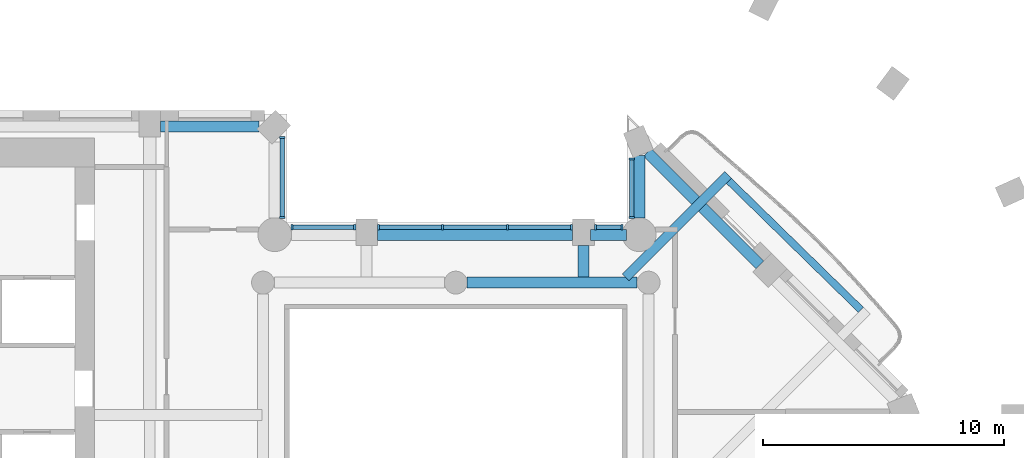
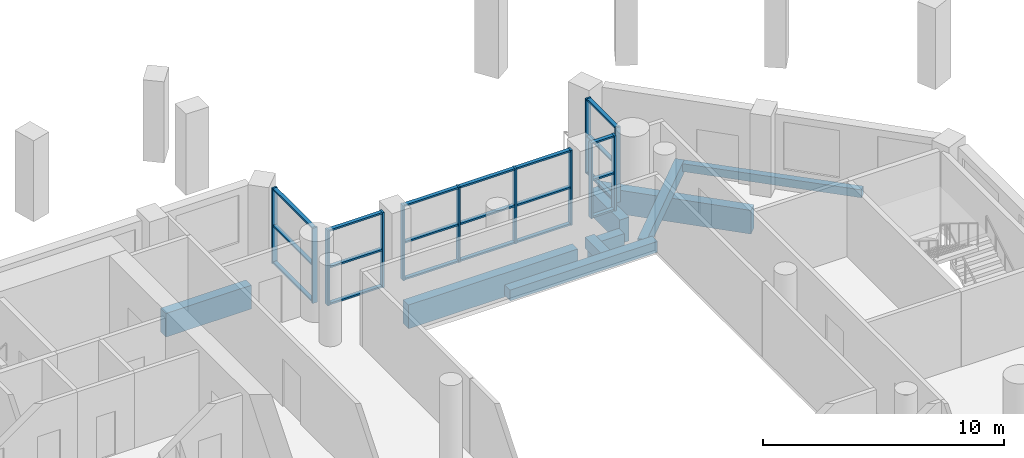
# One storey, part 2 of 13: 33 members, 9 beams, 5 elements without a shape of their own.
"""IFC4 building model written with IfcOpenShell, lengths in metres."""

from ifc_helpers import new_model, si_unit, direction, frame, origin, origin_2d, place, context, subcontext, project, spatial, rectangle, extrude, material, material_profile, profile_set, type_object, element, aggregate, save


model = new_model("IFC4")

# Units and contexts
model_context = context("Model", 3, precision=1e-05, world=origin(), true_north=direction((0.0, 1.0)))
body_context = subcontext(model_context, "Body", "Model", "MODEL_VIEW")
ifc_project = project(units=[si_unit("LENGTHUNIT", "METRE"), si_unit("AREAUNIT", "SQUARE_METRE"), si_unit("VOLUMEUNIT", "CUBIC_METRE"), si_unit("PLANEANGLEUNIT", "RADIAN"), si_unit("MASSUNIT", "GRAM", prefix="KILO")], contexts=[model_context])

# Site, building, storey
site_placement = place(None, origin())
site = spatial("IfcSite", under=ifc_project, at=site_placement, CompositionType="ELEMENT")
building_placement = place(site_placement, origin())
building = spatial("IfcBuilding", under=site, at=building_placement, Name="Cypress Arch Tower", CompositionType="ELEMENT")
storey_placement = place(building_placement, frame((0.0, 0.0, 189.199951171875)))
storey = spatial("IfcBuildingStorey", under=building, at=storey_placement, Name="L41", CompositionType="ELEMENT", Elevation=189.199951171875)

# Beams
ifc_material_1 = material(Name="Concrete C50/60", Category="concrete")
ifc_material_profile_1 = material_profile(ifc_material_1, rectangle(XDim=0.300048828125, YDim=0.39990234375, at=origin_2d()), Name="RC 300x400")
ifc_profile_set_1 = profile_set([ifc_material_profile_1], Name="Concrete C50/60")
beam_type_1 = type_object("IfcBeamType", Name="Balcony edge beam RC 300x400 Concrete C50/60", PredefinedType="BEAM", material=ifc_profile_set_1)
beam_1_placement = place(storey_placement, frame((17.810791015625, 8.869384765625, -0.5), z_axis=(-0.715154258634, 0.698966656113, 0.0), x_axis=(-0.698966656113, -0.715154258634, 0.0)))
element("IfcBeam", 1, at=beam_1_placement, inside=storey, type_object=beam_type_1, Name="Balcony edge beam L41 B05", PredefinedType="BEAM", context=body_context, shape_type="SweptSolid", body=[
    extrude(rectangle(XDim=0.300048828125, YDim=0.39990234375, at=origin_2d()), origin(), (0.0, 0.0, 1.0), 7.66162109375),
])
ifc_material_2 = material(Name="Concrete C50/60", Category="concrete")
ifc_material_profile_2 = material_profile(ifc_material_2, rectangle(XDim=0.39990234375, YDim=0.64990234375, at=origin_2d()), Name="RC 400x650")
ifc_profile_set_2 = profile_set([ifc_material_profile_2], Name="Concrete C50/60")
beam_type_2 = type_object("IfcBeamType", Name="Cantilever beam RC 400x650 Concrete C50/60", PredefinedType="BEAM", material=ifc_profile_set_2)
beam_2_placement = place(storey_placement, frame((8.04931640625, 10.22509765625, -0.625), z_axis=(0.707127105311, 0.707086456478, 0.0), x_axis=(-0.707086456478, 0.707127105311, 0.0)))
element("IfcBeam", 2, at=beam_2_placement, inside=storey, type_object=beam_type_2, Name="Cantilever beam L41 B05 2", PredefinedType="BEAM", context=body_context, shape_type="SweptSolid", body=[
    extrude(rectangle(XDim=0.39990234375, YDim=0.64990234375, at=origin_2d()), origin(), (0.0, 0.0, 1.0), 6.006103515625),
])
ifc_material_3 = material(Name="Concrete C50/60", Category="concrete")
ifc_material_profile_3 = material_profile(ifc_material_3, rectangle(XDim=0.449951171875, YDim=0.550048828125, at=origin_2d()), Name="RC 450x550")
ifc_profile_set_3 = profile_set([ifc_material_profile_3], Name="Concrete C50/60")
beam_type_3 = type_object("IfcBeamType", Name="Floor beam RC 450x550 Concrete C50/60", PredefinedType="BEAM", material=ifc_profile_set_3)
beam_3_placement = place(storey_placement, frame((1.47509765625, 10.0, -0.574951171875), z_axis=(1.0, 0.0, 0.0), x_axis=(0.0, 1.0, 0.0)))
element("IfcBeam", 3, at=beam_3_placement, inside=storey, type_object=beam_type_3, Name="Floor beam L41 RB008", PredefinedType="BEAM", context=body_context, shape_type="SweptSolid", body=[
    extrude(rectangle(XDim=0.449951171875, YDim=0.550048828125, at=origin_2d()), origin(), (0.0, 0.0, 1.0), 7.0498046875),
])
beam_4_placement = place(storey_placement, frame((6.300048828125, 10.22509765625, -0.574951171875), z_axis=(0.0, 1.0, 0.0), x_axis=(-1.0, 0.0, 0.0)))
element("IfcBeam", 4, at=beam_4_placement, inside=storey, type_object=beam_type_3, Name="Floor beam L41 FB017", PredefinedType="BEAM", context=body_context, shape_type="SweptSolid", body=[
    extrude(rectangle(XDim=0.449951171875, YDim=0.550048828125, at=origin_2d()), origin(), (0.0, 0.0, 1.0), 1.324951171875),
])

# Curtain wall, members
ifc_material_4 = material(Name="Anodised aluminium, bronze finish, clear laminated double glazing", Category="aluminium")
curtain_wall_type = type_object("IfcCurtainWallType", Name="Curtain wall CW7 slot glazing", PredefinedType="NOTDEFINED", material=ifc_material_4)
curtain_wall_1_placement = place(storey_placement, origin())
curtain_wall_1 = element("IfcCurtainWall", 5, at=curtain_wall_1_placement, inside=storey, type_object=curtain_wall_type, Name="Curtain wall L41 slot B06.0", PredefinedType="NOTDEFINED")
ifc_material_5 = material(Name="Anodised aluminium, bronze finish", Category="aluminium")
ifc_material_profile_4 = material_profile(ifc_material_5, rectangle(XDim=0.239990234375, YDim=0.0849609375, at=origin_2d()), Name="Mullion 85x240")
ifc_profile_set_4 = profile_set([ifc_material_profile_4], Name="Anodised aluminium, bronze finish")
member_type_1 = type_object("IfcMemberType", Name="Mullion CW7 85x240", PredefinedType="MULLION", material=ifc_profile_set_4)
member_1_placement = place(storey_placement, frame((8.300048828125, 15.12744140625, 0.0), z_axis=(0.0, 0.0, 1.0), x_axis=(1.0, 0.0, 0.0)))
member_1 = element("IfcMember", 6, at=member_1_placement, type_object=member_type_1, Name="CW7 mullion 1", PredefinedType="MULLION", context=body_context, shape_type="SweptSolid", body=[
    extrude(rectangle(XDim=0.239990234375, YDim=0.0849609375, at=origin_2d()), origin(), (0.0, 0.0, 1.0), 3.800048828125),
])
member_2_placement = place(storey_placement, frame((8.300048828125, 12.697021484375, 0.0), z_axis=(0.0, 0.0, 1.0), x_axis=(1.0, 0.0, 0.0)))
member_2 = element("IfcMember", 7, at=member_2_placement, type_object=member_type_1, Name="CW7 mullion 2", PredefinedType="MULLION", context=body_context, shape_type="SweptSolid", body=[
    extrude(rectangle(XDim=0.239990234375, YDim=0.0849609375, at=origin_2d()), origin(), (0.0, 0.0, 1.0), 3.800048828125),
])

curtain_wall_2_placement = place(storey_placement, origin())
curtain_wall_2 = element("IfcCurtainWall", 8, at=curtain_wall_2_placement, inside=storey, type_object=curtain_wall_type, Name="Curtain wall L41 slot B07.0", PredefinedType="NOTDEFINED")
member_3_placement = place(storey_placement, frame((7.903076171875, 12.300048828125, 0.0), z_axis=(0.0, 0.0, 1.0), x_axis=(0.0, -1.0, 0.0)))
member_3 = element("IfcMember", 9, at=member_3_placement, type_object=member_type_1, Name="CW7 mullion 1", PredefinedType="MULLION", context=body_context, shape_type="SweptSolid", body=[
    extrude(rectangle(XDim=0.239990234375, YDim=0.0849609375, at=origin_2d()), origin(), (0.0, 0.0, 1.0), 3.800048828125),
])
member_4_placement = place(storey_placement, frame((6.79248046875, 12.300048828125, 0.0), z_axis=(0.0, 0.0, 1.0), x_axis=(0.0, -1.0, 0.0)))
member_4 = element("IfcMember", 10, at=member_4_placement, type_object=member_type_1, Name="CW7 mullion 2", PredefinedType="MULLION", context=body_context, shape_type="SweptSolid", body=[
    extrude(rectangle(XDim=0.239990234375, YDim=0.0849609375, at=origin_2d()), origin(), (0.0, 0.0, 1.0), 3.800048828125),
])

curtain_wall_3_placement = place(storey_placement, origin())
curtain_wall_3 = element("IfcCurtainWall", 11, at=curtain_wall_3_placement, inside=storey, type_object=curtain_wall_type, Name="Curtain wall L41 slot B07.1", PredefinedType="NOTDEFINED")
member_5_placement = place(storey_placement, frame((5.8076171875, 12.300048828125, 0.0), z_axis=(0.0, 0.0, 1.0), x_axis=(0.0, -1.0, 0.0)))
member_5 = element("IfcMember", 12, at=member_5_placement, type_object=member_type_1, Name="CW7 mullion 1", PredefinedType="MULLION", context=body_context, shape_type="SweptSolid", body=[
    extrude(rectangle(XDim=0.239990234375, YDim=0.0849609375, at=origin_2d()), origin(), (0.0, 0.0, 1.0), 3.800048828125),
])
member_6_placement = place(storey_placement, frame((3.14990234375, 12.300048828125, 0.0), z_axis=(0.0, 0.0, 1.0), x_axis=(0.0, -1.0, 0.0)))
member_6 = element("IfcMember", 13, at=member_6_placement, type_object=member_type_1, Name="CW7 mullion 2", PredefinedType="MULLION", context=body_context, shape_type="SweptSolid", body=[
    extrude(rectangle(XDim=0.239990234375, YDim=0.0849609375, at=origin_2d()), origin(), (0.0, 0.0, 1.0), 3.800048828125),
])
member_7_placement = place(storey_placement, frame((0.449951171875, 12.300048828125, 0.0), z_axis=(0.0, 0.0, 1.0), x_axis=(0.0, -1.0, 0.0)))
member_7 = element("IfcMember", 14, at=member_7_placement, type_object=member_type_1, Name="CW7 mullion 3", PredefinedType="MULLION", context=body_context, shape_type="SweptSolid", body=[
    extrude(rectangle(XDim=0.239990234375, YDim=0.0849609375, at=origin_2d()), origin(), (0.0, 0.0, 1.0), 3.800048828125),
])
member_8_placement = place(storey_placement, frame((-2.20751953125, 12.300048828125, 0.0), z_axis=(0.0, 0.0, 1.0), x_axis=(0.0, -1.0, 0.0)))
member_8 = element("IfcMember", 15, at=member_8_placement, type_object=member_type_1, Name="CW7 mullion 4", PredefinedType="MULLION", context=body_context, shape_type="SweptSolid", body=[
    extrude(rectangle(XDim=0.239990234375, YDim=0.0849609375, at=origin_2d()), origin(), (0.0, 0.0, 1.0), 3.800048828125),
])

curtain_wall_4_placement = place(storey_placement, origin())
curtain_wall_4 = element("IfcCurtainWall", 16, at=curtain_wall_4_placement, inside=storey, type_object=curtain_wall_type, Name="Curtain wall L41 slot B07.2", PredefinedType="NOTDEFINED")
member_9_placement = place(storey_placement, frame((-3.1923828125, 12.300048828125, 0.0), z_axis=(0.0, 0.0, 1.0), x_axis=(0.0, -1.0, 0.0)))
member_9 = element("IfcMember", 17, at=member_9_placement, type_object=member_type_1, Name="CW7 mullion 1", PredefinedType="MULLION", context=body_context, shape_type="SweptSolid", body=[
    extrude(rectangle(XDim=0.239990234375, YDim=0.0849609375, at=origin_2d()), origin(), (0.0, 0.0, 1.0), 3.800048828125),
])
member_10_placement = place(storey_placement, frame((-5.802978515625, 12.300048828125, 0.0), z_axis=(0.0, 0.0, 1.0), x_axis=(0.0, -1.0, 0.0)))
member_10 = element("IfcMember", 18, at=member_10_placement, type_object=member_type_1, Name="CW7 mullion 2", PredefinedType="MULLION", context=body_context, shape_type="SweptSolid", body=[
    extrude(rectangle(XDim=0.239990234375, YDim=0.0849609375, at=origin_2d()), origin(), (0.0, 0.0, 1.0), 3.800048828125),
])

curtain_wall_5_placement = place(storey_placement, origin())
curtain_wall_5 = element("IfcCurtainWall", 19, at=curtain_wall_5_placement, inside=storey, type_object=curtain_wall_type, Name="Curtain wall L41 slot B08.0", PredefinedType="NOTDEFINED")
member_11_placement = place(storey_placement, frame((-6.199951171875, 12.697021484375, 0.0), z_axis=(0.0, 0.0, 1.0), x_axis=(-1.0, 0.0, 0.0)))
member_11 = element("IfcMember", 20, at=member_11_placement, type_object=member_type_1, Name="CW7 mullion 1", PredefinedType="MULLION", context=body_context, shape_type="SweptSolid", body=[
    extrude(rectangle(XDim=0.239990234375, YDim=0.0849609375, at=origin_2d()), origin(), (0.0, 0.0, 1.0), 3.800048828125),
])
member_12_placement = place(storey_placement, frame((-6.199951171875, 16.02099609375, 0.0), z_axis=(0.0, 0.0, 1.0), x_axis=(-1.0, 0.0, 0.0)))
member_12 = element("IfcMember", 21, at=member_12_placement, type_object=member_type_1, Name="CW7 mullion 2", PredefinedType="MULLION", context=body_context, shape_type="SweptSolid", body=[
    extrude(rectangle(XDim=0.239990234375, YDim=0.0849609375, at=origin_2d()), origin(), (0.0, 0.0, 1.0), 3.800048828125),
])

# Beams
ifc_material_6 = material(Name="Concrete C50/60", Category="concrete")
ifc_material_profile_5 = material_profile(ifc_material_6, rectangle(XDim=0.449951171875, YDim=1.199951171875, at=origin_2d()), Name="RC 450x1200")
ifc_profile_set_5 = profile_set([ifc_material_profile_5], Name="Concrete C50/60")
beam_type_4 = type_object("IfcBeamType", Name="Spandrel beam RC 450x1200 Concrete C50/60", PredefinedType="SPANDREL", material=ifc_profile_set_5)
beam_5_placement = place(storey_placement, frame((13.622802734375, 10.73486328125, -1.550048828125), z_axis=(-0.707106781187, 0.707106781187, 0.0), x_axis=(-0.707106781187, -0.707106781187, 0.0)))
element("IfcBeam", 22, at=beam_5_placement, inside=storey, type_object=beam_type_4, Name="Spandrel beam L41 BB05-1", PredefinedType="SPANDREL", context=body_context, shape_type="SweptSolid", body=[
    extrude(rectangle(XDim=0.449951171875, YDim=1.199951171875, at=origin_2d()), origin(), (0.0, 0.0, 1.0), 6.610595703125),
])
beam_6_placement = place(storey_placement, frame((8.625, 15.275146484375, -1.550048828125), z_axis=(0.0, -1.0, 0.0), x_axis=(1.0, 0.0, 0.0)))
element("IfcBeam", 23, at=beam_6_placement, inside=storey, type_object=beam_type_4, Name="Spandrel beam L41 BB06-0", PredefinedType="SPANDREL", context=body_context, shape_type="SweptSolid", body=[
    extrude(rectangle(XDim=0.449951171875, YDim=1.199951171875, at=origin_2d()), origin(), (0.0, 0.0, 1.0), 2.587646484375),
])
beam_7_placement = place(storey_placement, frame((8.081298828125, 11.97509765625, -1.550048828125), z_axis=(-1.0, 0.0, 0.0), x_axis=(0.0, -1.0, 0.0)))
element("IfcBeam", 24, at=beam_7_placement, inside=storey, type_object=beam_type_4, Name="Spandrel beam L41 BB07-0", PredefinedType="SPANDREL", context=body_context, shape_type="SweptSolid", body=[
    extrude(rectangle(XDim=0.449951171875, YDim=1.199951171875, at=origin_2d()), origin(), (0.0, 0.0, 1.0), 1.5),
])
beam_8_placement = place(storey_placement, frame((5.85009765625, 11.97509765625, -1.550048828125), z_axis=(-1.0, 0.0, 0.0), x_axis=(0.0, -1.0, 0.0)))
element("IfcBeam", 25, at=beam_8_placement, inside=storey, type_object=beam_type_4, Name="Spandrel beam L41 BB07-1", PredefinedType="SPANDREL", context=body_context, shape_type="SweptSolid", body=[
    extrude(rectangle(XDim=0.449951171875, YDim=1.199951171875, at=origin_2d()), origin(), (0.0, 0.0, 1.0), 8.10009765625),
])
beam_9_placement = place(storey_placement, frame((-7.161376953125, 16.47509765625, -1.550048828125), z_axis=(-1.0, 0.0, 0.0), x_axis=(0.0, -1.0, 0.0)))
element("IfcBeam", 26, at=beam_9_placement, inside=storey, type_object=beam_type_4, Name="Spandrel beam L41 BB09-0", PredefinedType="SPANDREL", context=body_context, shape_type="SweptSolid", body=[
    extrude(rectangle(XDim=0.449951171875, YDim=1.199951171875, at=origin_2d()), origin(), (0.0, 0.0, 1.0), 4.088623046875),
])

# Member
ifc_material_7 = material(Name="Anodised aluminium, bronze finish", Category="aluminium")
ifc_material_profile_6 = material_profile(ifc_material_7, rectangle(XDim=0.179931640625, YDim=0.0849609375, at=origin_2d()), Name="Transom 85x180")
ifc_profile_set_6 = profile_set([ifc_material_profile_6], Name="Anodised aluminium, bronze finish")
member_type_2 = type_object("IfcMemberType", Name="Transom CW7 85x180", PredefinedType="USERDEFINED", material=ifc_profile_set_6)
member_13_placement = place(storey_placement, frame((8.300048828125, 15.0849609375, 0.04248046875), z_axis=(0.0, -1.0, 0.0), x_axis=(1.0, 0.0, 0.0)))
member_13 = element("IfcMember", 27, at=member_13_placement, type_object=member_type_2, Name="CW7 transom 1.1", ObjectType="TRANSOM", PredefinedType="USERDEFINED", context=body_context, shape_type="SweptSolid", body=[
    extrude(rectangle(XDim=0.179931640625, YDim=0.0849609375, at=origin_2d()), origin(), (0.0, 0.0, 1.0), 2.345458984375),
])

member_14_placement = place(storey_placement, frame((8.300048828125, 15.0849609375, 1.900146484375), z_axis=(0.0, -1.0, 0.0), x_axis=(1.0, 0.0, 0.0)))
member_14 = element("IfcMember", 28, at=member_14_placement, type_object=member_type_2, Name="CW7 transom 1.2", ObjectType="TRANSOM", PredefinedType="USERDEFINED", context=body_context, shape_type="SweptSolid", body=[
    extrude(rectangle(XDim=0.179931640625, YDim=0.0849609375, at=origin_2d()), origin(), (0.0, 0.0, 1.0), 2.345458984375),
])

member_15_placement = place(storey_placement, frame((8.300048828125, 15.0849609375, 3.757568359375), z_axis=(0.0, -1.0, 0.0), x_axis=(1.0, 0.0, 0.0)))
member_15 = element("IfcMember", 29, at=member_15_placement, type_object=member_type_2, Name="CW7 transom 1.3", ObjectType="TRANSOM", PredefinedType="USERDEFINED", context=body_context, shape_type="SweptSolid", body=[
    extrude(rectangle(XDim=0.179931640625, YDim=0.0849609375, at=origin_2d()), origin(), (0.0, 0.0, 1.0), 2.345458984375),
])

aggregate(curtain_wall_1, [member_1, member_2, member_13, member_14, member_15])

member_16_placement = place(storey_placement, frame((7.8603515625, 12.300048828125, 0.04248046875), z_axis=(-1.0, 0.0, 0.0), x_axis=(0.0, -1.0, 0.0)))
member_16 = element("IfcMember", 30, at=member_16_placement, type_object=member_type_2, Name="CW7 transom 1.1", ObjectType="TRANSOM", PredefinedType="USERDEFINED", context=body_context, shape_type="SweptSolid", body=[
    extrude(rectangle(XDim=0.179931640625, YDim=0.0849609375, at=origin_2d()), origin(), (0.0, 0.0, 1.0), 1.025390625),
])

member_17_placement = place(storey_placement, frame((7.8603515625, 12.300048828125, 1.900146484375), z_axis=(-1.0, 0.0, 0.0), x_axis=(0.0, -1.0, 0.0)))
member_17 = element("IfcMember", 31, at=member_17_placement, type_object=member_type_2, Name="CW7 transom 1.2", ObjectType="TRANSOM", PredefinedType="USERDEFINED", context=body_context, shape_type="SweptSolid", body=[
    extrude(rectangle(XDim=0.179931640625, YDim=0.0849609375, at=origin_2d()), origin(), (0.0, 0.0, 1.0), 1.025390625),
])

member_18_placement = place(storey_placement, frame((7.8603515625, 12.300048828125, 3.757568359375), z_axis=(-1.0, 0.0, 0.0), x_axis=(0.0, -1.0, 0.0)))
member_18 = element("IfcMember", 32, at=member_18_placement, type_object=member_type_2, Name="CW7 transom 1.3", ObjectType="TRANSOM", PredefinedType="USERDEFINED", context=body_context, shape_type="SweptSolid", body=[
    extrude(rectangle(XDim=0.179931640625, YDim=0.0849609375, at=origin_2d()), origin(), (0.0, 0.0, 1.0), 1.025390625),
])

aggregate(curtain_wall_2, [member_3, member_4, member_16, member_17, member_18])

member_19_placement = place(storey_placement, frame((5.764892578125, 12.300048828125, 0.04248046875), z_axis=(-1.0, 0.0, 0.0), x_axis=(0.0, -1.0, 0.0)))
member_19 = element("IfcMember", 33, at=member_19_placement, type_object=member_type_2, Name="CW7 transom 1.1", ObjectType="TRANSOM", PredefinedType="USERDEFINED", context=body_context, shape_type="SweptSolid", body=[
    extrude(rectangle(XDim=0.179931640625, YDim=0.0849609375, at=origin_2d()), origin(), (0.0, 0.0, 1.0), 2.572509765625),
])

member_20_placement = place(storey_placement, frame((5.764892578125, 12.300048828125, 1.900146484375), z_axis=(-1.0, 0.0, 0.0), x_axis=(0.0, -1.0, 0.0)))
member_20 = element("IfcMember", 34, at=member_20_placement, type_object=member_type_2, Name="CW7 transom 1.2", ObjectType="TRANSOM", PredefinedType="USERDEFINED", context=body_context, shape_type="SweptSolid", body=[
    extrude(rectangle(XDim=0.179931640625, YDim=0.0849609375, at=origin_2d()), origin(), (0.0, 0.0, 1.0), 2.572509765625),
])

member_21_placement = place(storey_placement, frame((5.764892578125, 12.300048828125, 3.757568359375), z_axis=(-1.0, 0.0, 0.0), x_axis=(0.0, -1.0, 0.0)))
member_21 = element("IfcMember", 35, at=member_21_placement, type_object=member_type_2, Name="CW7 transom 1.3", ObjectType="TRANSOM", PredefinedType="USERDEFINED", context=body_context, shape_type="SweptSolid", body=[
    extrude(rectangle(XDim=0.179931640625, YDim=0.0849609375, at=origin_2d()), origin(), (0.0, 0.0, 1.0), 2.572509765625),
])

member_22_placement = place(storey_placement, frame((3.107421875, 12.300048828125, 0.04248046875), z_axis=(-1.0, 0.0, 0.0), x_axis=(0.0, -1.0, 0.0)))
member_22 = element("IfcMember", 36, at=member_22_placement, type_object=member_type_2, Name="CW7 transom 2.1", ObjectType="TRANSOM", PredefinedType="USERDEFINED", context=body_context, shape_type="SweptSolid", body=[
    extrude(rectangle(XDim=0.179931640625, YDim=0.0849609375, at=origin_2d()), origin(), (0.0, 0.0, 1.0), 2.614990234375),
])

member_23_placement = place(storey_placement, frame((3.107421875, 12.300048828125, 1.900146484375), z_axis=(-1.0, 0.0, 0.0), x_axis=(0.0, -1.0, 0.0)))
member_23 = element("IfcMember", 37, at=member_23_placement, type_object=member_type_2, Name="CW7 transom 2.2", ObjectType="TRANSOM", PredefinedType="USERDEFINED", context=body_context, shape_type="SweptSolid", body=[
    extrude(rectangle(XDim=0.179931640625, YDim=0.0849609375, at=origin_2d()), origin(), (0.0, 0.0, 1.0), 2.614990234375),
])

member_24_placement = place(storey_placement, frame((3.107421875, 12.300048828125, 3.757568359375), z_axis=(-1.0, 0.0, 0.0), x_axis=(0.0, -1.0, 0.0)))
member_24 = element("IfcMember", 38, at=member_24_placement, type_object=member_type_2, Name="CW7 transom 2.3", ObjectType="TRANSOM", PredefinedType="USERDEFINED", context=body_context, shape_type="SweptSolid", body=[
    extrude(rectangle(XDim=0.179931640625, YDim=0.0849609375, at=origin_2d()), origin(), (0.0, 0.0, 1.0), 2.614990234375),
])

member_25_placement = place(storey_placement, frame((0.407470703125, 12.300048828125, 0.04248046875), z_axis=(-1.0, 0.0, 0.0), x_axis=(0.0, -1.0, 0.0)))
member_25 = element("IfcMember", 39, at=member_25_placement, type_object=member_type_2, Name="CW7 transom 3.1", ObjectType="TRANSOM", PredefinedType="USERDEFINED", context=body_context, shape_type="SweptSolid", body=[
    extrude(rectangle(XDim=0.179931640625, YDim=0.0849609375, at=origin_2d()), origin(), (0.0, 0.0, 1.0), 2.572509765625),
])

member_26_placement = place(storey_placement, frame((0.407470703125, 12.300048828125, 1.900146484375), z_axis=(-1.0, 0.0, 0.0), x_axis=(0.0, -1.0, 0.0)))
member_26 = element("IfcMember", 40, at=member_26_placement, type_object=member_type_2, Name="CW7 transom 3.2", ObjectType="TRANSOM", PredefinedType="USERDEFINED", context=body_context, shape_type="SweptSolid", body=[
    extrude(rectangle(XDim=0.179931640625, YDim=0.0849609375, at=origin_2d()), origin(), (0.0, 0.0, 1.0), 2.572509765625),
])

member_27_placement = place(storey_placement, frame((0.407470703125, 12.300048828125, 3.757568359375), z_axis=(-1.0, 0.0, 0.0), x_axis=(0.0, -1.0, 0.0)))
member_27 = element("IfcMember", 41, at=member_27_placement, type_object=member_type_2, Name="CW7 transom 3.3", ObjectType="TRANSOM", PredefinedType="USERDEFINED", context=body_context, shape_type="SweptSolid", body=[
    extrude(rectangle(XDim=0.179931640625, YDim=0.0849609375, at=origin_2d()), origin(), (0.0, 0.0, 1.0), 2.572509765625),
])

aggregate(curtain_wall_3, [member_5, member_6, member_7, member_8, member_19, member_20, member_21, member_22, member_23, member_24, member_25, member_26, member_27])

member_28_placement = place(storey_placement, frame((-3.235107421875, 12.300048828125, 0.04248046875), z_axis=(-1.0, 0.0, 0.0), x_axis=(0.0, -1.0, 0.0)))
member_28 = element("IfcMember", 42, at=member_28_placement, type_object=member_type_2, Name="CW7 transom 1.1", ObjectType="TRANSOM", PredefinedType="USERDEFINED", context=body_context, shape_type="SweptSolid", body=[
    extrude(rectangle(XDim=0.179931640625, YDim=0.0849609375, at=origin_2d()), origin(), (0.0, 0.0, 1.0), 2.525390625),
])

member_29_placement = place(storey_placement, frame((-3.235107421875, 12.300048828125, 1.900146484375), z_axis=(-1.0, 0.0, 0.0), x_axis=(0.0, -1.0, 0.0)))
member_29 = element("IfcMember", 43, at=member_29_placement, type_object=member_type_2, Name="CW7 transom 1.2", ObjectType="TRANSOM", PredefinedType="USERDEFINED", context=body_context, shape_type="SweptSolid", body=[
    extrude(rectangle(XDim=0.179931640625, YDim=0.0849609375, at=origin_2d()), origin(), (0.0, 0.0, 1.0), 2.525390625),
])

member_30_placement = place(storey_placement, frame((-3.235107421875, 12.300048828125, 3.757568359375), z_axis=(-1.0, 0.0, 0.0), x_axis=(0.0, -1.0, 0.0)))
member_30 = element("IfcMember", 44, at=member_30_placement, type_object=member_type_2, Name="CW7 transom 1.3", ObjectType="TRANSOM", PredefinedType="USERDEFINED", context=body_context, shape_type="SweptSolid", body=[
    extrude(rectangle(XDim=0.179931640625, YDim=0.0849609375, at=origin_2d()), origin(), (0.0, 0.0, 1.0), 2.525390625),
])

aggregate(curtain_wall_4, [member_9, member_10, member_28, member_29, member_30])

member_31_placement = place(storey_placement, frame((-6.199951171875, 12.739501953125, 0.04248046875), z_axis=(0.0, 1.0, 0.0), x_axis=(-1.0, 0.0, 0.0)))
member_31 = element("IfcMember", 45, at=member_31_placement, type_object=member_type_2, Name="CW7 transom 1.1", ObjectType="TRANSOM", PredefinedType="USERDEFINED", context=body_context, shape_type="SweptSolid", body=[
    extrude(rectangle(XDim=0.179931640625, YDim=0.0849609375, at=origin_2d()), origin(), (0.0, 0.0, 1.0), 3.239013671875),
])

member_32_placement = place(storey_placement, frame((-6.199951171875, 12.739501953125, 1.900146484375), z_axis=(0.0, 1.0, 0.0), x_axis=(-1.0, 0.0, 0.0)))
member_32 = element("IfcMember", 46, at=member_32_placement, type_object=member_type_2, Name="CW7 transom 1.2", ObjectType="TRANSOM", PredefinedType="USERDEFINED", context=body_context, shape_type="SweptSolid", body=[
    extrude(rectangle(XDim=0.179931640625, YDim=0.0849609375, at=origin_2d()), origin(), (0.0, 0.0, 1.0), 3.239013671875),
])

member_33_placement = place(storey_placement, frame((-6.199951171875, 12.739501953125, 3.757568359375), z_axis=(0.0, 1.0, 0.0), x_axis=(-1.0, 0.0, 0.0)))
member_33 = element("IfcMember", 47, at=member_33_placement, type_object=member_type_2, Name="CW7 transom 1.3", ObjectType="TRANSOM", PredefinedType="USERDEFINED", context=body_context, shape_type="SweptSolid", body=[
    extrude(rectangle(XDim=0.179931640625, YDim=0.0849609375, at=origin_2d()), origin(), (0.0, 0.0, 1.0), 3.239013671875),
])

aggregate(curtain_wall_5, [member_11, member_12, member_31, member_32, member_33])

save(model, "model.ifc")
